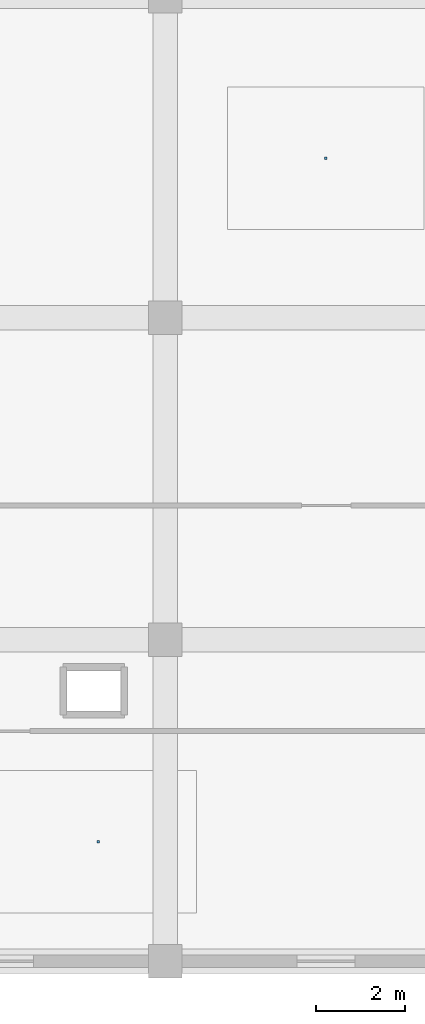
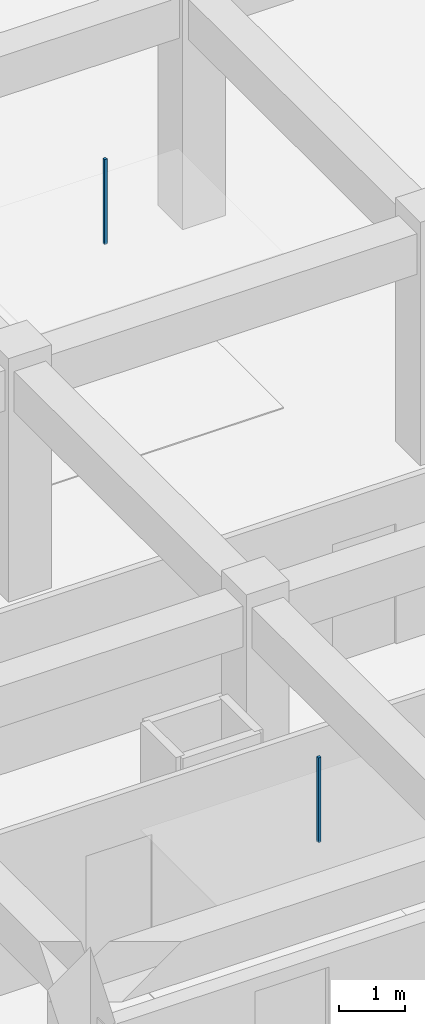
# One storey, part 40 of 48: 2 discrete accessories.
"""IFC4 building model written with IfcOpenShell, lengths in metres."""

from ifc_helpers import new_model, si_unit, direction, frame, origin, origin_2d, place, context, subcontext, project, spatial, rectangle, extrude, material, type_object, element, save


model = new_model("IFC4")

# Units and contexts
model_context = context("Model", 3, precision=1e-05, world=origin(), true_north=direction((0.0, 1.0)))
body_context = subcontext(model_context, "Body", "Model", "MODEL_VIEW")
ifc_project = project(units=[si_unit("LENGTHUNIT", "METRE"), si_unit("AREAUNIT", "SQUARE_METRE"), si_unit("VOLUMEUNIT", "CUBIC_METRE"), si_unit("PLANEANGLEUNIT", "RADIAN"), si_unit("MASSUNIT", "GRAM", prefix="KILO")], contexts=[model_context])

# Site, building, storey
site_placement = place(None, origin())
site = spatial("IfcSite", under=ifc_project, at=site_placement, CompositionType="ELEMENT")
building_placement = place(site_placement, origin())
building = spatial("IfcBuilding", under=site, at=building_placement, Name="Kazehaya Institute of Natural Sciences", CompositionType="ELEMENT")
storey_placement = place(building_placement, frame((0.0, 0.0, 19.800048828125)))
storey = spatial("IfcBuildingStorey", under=building, at=storey_placement, Name="L04", CompositionType="ELEMENT", Elevation=19.800048828125)

# Discrete accessories
ifc_material = material(Name="Structural steel SN490B", Category="steel")
discrete_accessory_type = type_object("IfcDiscreteAccessoryType", Name="ACC-CLG-HGR", PredefinedType="BRACKET", material=ifc_material)
for number, where, z_axis, x_axis, name in (
    (1, (101.39208984375, 103.973388671875, 2.8525390625), (0.0, 0.0, 1.0), (1.0, 0.0, 0.0), "L04 ceiling suspension hanger 46"),
    (2, (96.300048828125, 88.675048828125, 2.8525390625), (0.0, 0.0, 1.0), (1.0, 0.0, 0.0), "L04 ceiling suspension hanger 47"),
):
    element("IfcDiscreteAccessory", number, at=place(storey_placement, frame(where, z_axis=z_axis, x_axis=x_axis)), inside=storey, type_object=discrete_accessory_type, Name=name, PredefinedType="BRACKET", context=body_context, shape_type="SweptSolid", body=[
        extrude(rectangle(XDim=0.050048828125, YDim=0.050048828125, at=origin_2d()), origin(), (0.0, 0.0, 1.0), 1.5673828125),
    ])

save(model, "model.ifc")
